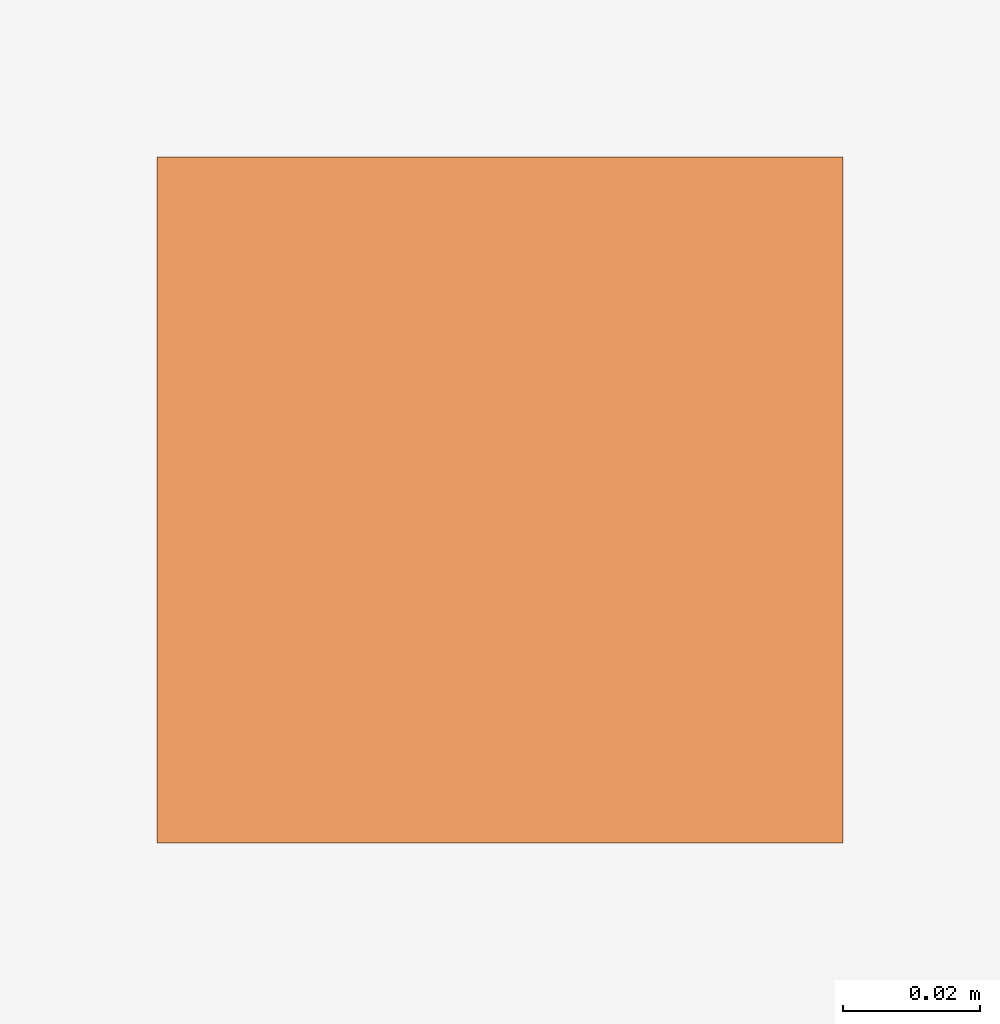
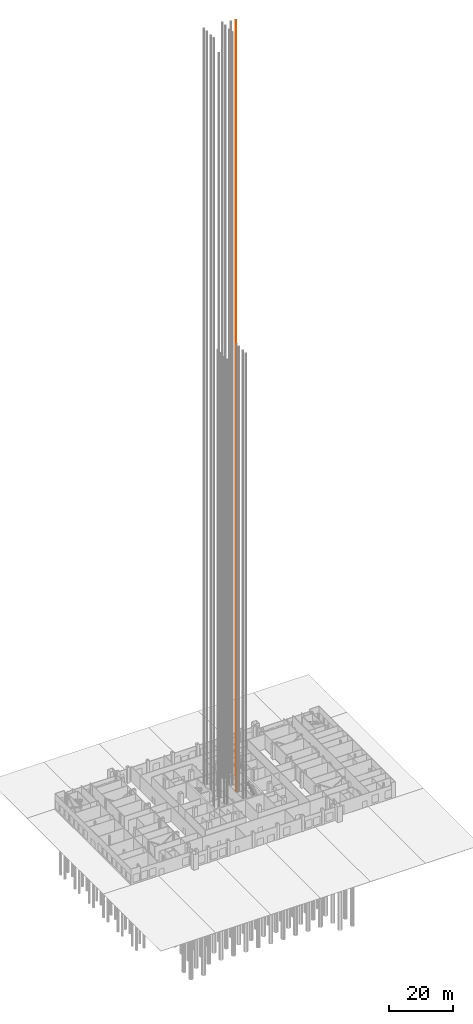
# One storey, part 36 of 36: 1 proxy.
"""IFC4 building model written with IfcOpenShell, lengths in metres."""

import ifcopenshell
import ifcopenshell.guid

model = None  # the IFC model being written
_history = None  # IfcOwnerHistory: only IFC2X3 demands one
_inside = {}  # id of a spatial element -> (the spatial element, [elements in it])
_under = {}  # id of a project, library or spatial element -> (it, [spatial elements below it])
_declared = {}  # id of a project -> (the project, [libraries it declares])
_typed = {}  # id of a type object -> (the type object, [elements of that type])
_made_of = {}  # id of a material, layer set ... -> (it, [elements and type objects made of it])


def new_model(schema):
    """Start an empty IFC model of exactly this schema.

    Asked for "IFC4X3", IfcOpenShell would pick the latest addendum, in which some entities
    have other attributes; the version numbers below select the first issue.
    IFC2X3 requires an IfcOwnerHistory on every rooted entity: one is made here for all.
    """
    global model, _history
    if schema == "IFC4X3":
        model = ifcopenshell.file(schema_version=(4, 3, 0, 0))
    else:
        model = ifcopenshell.file(schema=schema)
    _inside.clear()
    _under.clear()
    _declared.clear()
    _typed.clear()
    _made_of.clear()
    _history = None
    if model.schema == "IFC2X3":
        org = make("IfcOrganization", Name="unknown")
        user = make(
            "IfcPersonAndOrganization",
            ThePerson=make("IfcPerson", FamilyName="unknown"),
            TheOrganization=org,
        )
        app = make(
            "IfcApplication",
            ApplicationDeveloper=org,
            Version="unknown",
            ApplicationFullName="unknown",
            ApplicationIdentifier="unknown",
        )
        _history = make(
            "IfcOwnerHistory",
            OwningUser=user,
            OwningApplication=app,
            ChangeAction="ADDED",
            CreationDate=0,
        )
    return model


def make(cls, **values):
    """One entity of the class cls with the attributes given. An attribute that is None is left unset."""
    return model.create_entity(
        cls, **{name: value for name, value in values.items() if value is not None}
    )


def rooted(cls, **values):
    """An entity with a GlobalId (a new one), such as an element, a storey or a relation."""
    return make(cls, GlobalId=ifcopenshell.guid.new(), OwnerHistory=_history, **values)


def si_unit(unit_type, name, prefix=None):
    """IfcSIUnit, for example si_unit("LENGTHUNIT", "METRE", prefix="MILLI")."""
    return make("IfcSIUnit", UnitType=unit_type, Prefix=prefix, Name=name)


def assignment(units):
    """IfcUnitAssignment: the units of a project."""
    return None if units is None else make("IfcUnitAssignment", Units=units)


def point(xyz):
    """IfcCartesianPoint."""
    return None if xyz is None else make("IfcCartesianPoint", Coordinates=xyz)


def direction(xyz):
    """IfcDirection."""
    return None if xyz is None else make("IfcDirection", DirectionRatios=xyz)


def frame(location, z_axis=None, x_axis=None):
    """IfcAxis2Placement3D, a coordinate frame: its origin and axes. An axis left out is left unset."""
    return make(
        "IfcAxis2Placement3D",
        Location=point(location),
        Axis=direction(z_axis),
        RefDirection=direction(x_axis),
    )


def frame_2d(location, x_axis=None):
    """IfcAxis2Placement2D, a coordinate frame in the plane: its origin and x axis."""
    return make(
        "IfcAxis2Placement2D", Location=point(location), RefDirection=direction(x_axis)
    )


def origin():
    """The frame at (0, 0, 0) with its axes left unset."""
    return frame((0.0, 0.0, 0.0))


def origin_2d():
    """The frame at (0, 0) in the plane with its x axis left unset."""
    return frame_2d((0.0, 0.0))


def place(relative_to, where):
    """IfcLocalPlacement: puts the frame where relative to a parent placement (None: the world)."""
    return make(
        "IfcLocalPlacement", PlacementRelTo=relative_to, RelativePlacement=where
    )


def context(
    kind, dimensions, precision=None, world=None, true_north=None, identifier=None
):
    """IfcGeometricRepresentationContext, for example the 3D "Model" context."""
    return make(
        "IfcGeometricRepresentationContext",
        ContextIdentifier=identifier,
        ContextType=kind,
        CoordinateSpaceDimension=dimensions,
        Precision=precision,
        WorldCoordinateSystem=world,
        TrueNorth=true_north,
    )


def subcontext(parent, identifier, kind, view, scale=None):
    """IfcGeometricRepresentationSubContext, for example "Body" below "Model"."""
    return make(
        "IfcGeometricRepresentationSubContext",
        ContextIdentifier=identifier,
        ContextType=kind,
        ParentContext=parent,
        TargetScale=scale,
        TargetView=view,
    )


def project(units=None, contexts=None):
    """IfcProject with its units and contexts."""
    return rooted(
        "IfcProject",
        Name="project",
        RepresentationContexts=contexts,
        UnitsInContext=assignment(units),
    )


def spatial(cls, under=None, at=None, **own):
    """A site, building, storey or space (cls), placed at a placement, below another one or the project."""
    s = rooted(cls, ObjectPlacement=at, **own)
    if under is not None:
        _under.setdefault(under.id(), (under, []))[1].append(s)
    return s


def profile(cls, at=None, kind="AREA", **sizes):
    """A parametric profile (cls). Its sizes go by their IFC names, for example OverallWidth=200.0."""
    return make(cls, ProfileType=kind, Position=at, **sizes)


def rectangle(**sizes):
    """IfcRectangleProfileDef."""
    return profile("IfcRectangleProfileDef", **sizes)


def extrude(swept, where, along, depth):
    """IfcExtrudedAreaSolid: the profile swept, set in the frame where, extruded along a direction by depth."""
    return make(
        "IfcExtrudedAreaSolid",
        SweptArea=swept,
        Position=where,
        ExtrudedDirection=direction(along),
        Depth=depth,
    )


def shape(context_of_items, identifier, shape_type, items):
    """IfcShapeRepresentation: the items that make up one representation, for example the "Body"."""
    return make(
        "IfcShapeRepresentation",
        ContextOfItems=context_of_items,
        RepresentationIdentifier=identifier,
        RepresentationType=shape_type,
        Items=items,
    )


def material(Name=None, Category=None):
    """IfcMaterial."""
    return make("IfcMaterial", Name=Name, Category=Category)


def made_of(thing, what):
    """Note that an element or type object is made of a material, layer set ...; save() writes the relation."""
    if what is not None:
        _made_of.setdefault(what.id(), (what, []))[1].append(thing)
    return thing


def type_object(cls, material=None, **own):
    """A type object (cls), such as IfcWallType, which elements share."""
    return made_of(rooted(cls, **own), material)


def element(
    cls,
    number,
    at=None,
    inside=None,
    cuts=None,
    type_object=None,
    material=None,
    context=None,
    identifier="Body",
    shape_type=None,
    held_by="IfcProductDefinitionShape",
    body=None,
    shapes=None,
    **own,
):
    """One element of the class cls, such as IfcWall. Its Tag is "e" and its number.

    at: its placement. inside: the storey or other place that contains it. cuts: it is an
    opening in that element (IfcRelVoidsElement). A single representation is given by context,
    identifier, shape_type and body (its items); several are given by shapes. held_by: the class
    of the entity that holds the representations. save() writes the other relations.
    """
    e = rooted(cls, Tag="e%d" % number, ObjectPlacement=at, **own)
    if body is not None:
        shapes = [shape(context, identifier, shape_type, body)]
    if shapes is not None:
        e.Representation = make(held_by, Representations=shapes)
    if inside is not None:
        _inside.setdefault(inside.id(), (inside, []))[1].append(e)
    if cuts is not None:
        rooted(
            "IfcRelVoidsElement", RelatingBuildingElement=cuts, RelatedOpeningElement=e
        )
    if type_object is not None:
        _typed.setdefault(type_object.id(), (type_object, []))[1].append(e)
    return made_of(e, material)


def aggregate(whole, parts):
    """IfcRelAggregates: a whole, such as a stair, and the parts it consists of."""
    return rooted("IfcRelAggregates", RelatingObject=whole, RelatedObjects=parts)


def save(model, path):
    """Write the relations noted so far, then the file.

    IfcRelAggregates (storeys below a building ...), IfcRelContainedInSpatialStructure (elements
    in a storey), IfcRelDefinesByType, IfcRelAssociatesMaterial and IfcRelDeclares: one each for
    every whole, place, type object, material and project.
    """
    for whole, parts in _under.values():
        aggregate(whole, parts)
    for where, things in _inside.values():
        rooted(
            "IfcRelContainedInSpatialStructure",
            RelatedElements=things,
            RelatingStructure=where,
        )
    for kind, things in _typed.values():
        rooted("IfcRelDefinesByType", RelatedObjects=things, RelatingType=kind)
    for what, things in _made_of.values():
        rooted("IfcRelAssociatesMaterial", RelatedObjects=things, RelatingMaterial=what)
    for by, libraries in _declared.values():
        rooted("IfcRelDeclares", RelatingContext=by, RelatedDefinitions=libraries)
    model.write(path)


model = new_model("IFC4")

# Units and contexts
model_context = context("Model", 3, precision=1e-05, world=origin(), true_north=direction((0.0, 1.0)))
body_context = subcontext(model_context, "Body", "Model", "MODEL_VIEW")
ifc_project = project(units=[si_unit("LENGTHUNIT", "METRE"), si_unit("AREAUNIT", "SQUARE_METRE"), si_unit("VOLUMEUNIT", "CUBIC_METRE"), si_unit("PLANEANGLEUNIT", "RADIAN"), si_unit("MASSUNIT", "GRAM", prefix="KILO")], contexts=[model_context])

# Site, building, storey
site_placement = place(None, origin())
site = spatial("IfcSite", under=ifc_project, at=site_placement, CompositionType="ELEMENT")
building_placement = place(site_placement, origin())
building = spatial("IfcBuilding", under=site, at=building_placement, Name="Malebo Sky Hospital", CompositionType="ELEMENT")
storey_placement = place(building_placement, origin())
storey = spatial("IfcBuildingStorey", under=building, at=storey_placement, Name="L00", CompositionType="ELEMENT", Elevation=0.0)

# Proxy
ifc_material = material(Name="Steel S355", Category="steel")
building_element_proxy_type = type_object("IfcBuildingElementProxyType", Name="LIFT GUIDE RAIL 100", PredefinedType="USERDEFINED", material=ifc_material)
proxy_placement = place(storey_placement, frame((67.75, 68.5, 0.0)))
element("IfcBuildingElementProxy", 1, at=proxy_placement, inside=storey, type_object=building_element_proxy_type, Name="Lift FL2 guide rail 2", ObjectType="LIFT GUIDE RAIL", PredefinedType="USERDEFINED", context=body_context, shape_type="SweptSolid", body=[
    extrude(rectangle(XDim=0.10009765625, YDim=0.10009765625, at=origin_2d()), frame((0.0, 0.0, -2.25)), (0.0, 0.0, 1.0), 295.75),
])

save(model, "model.ifc")
